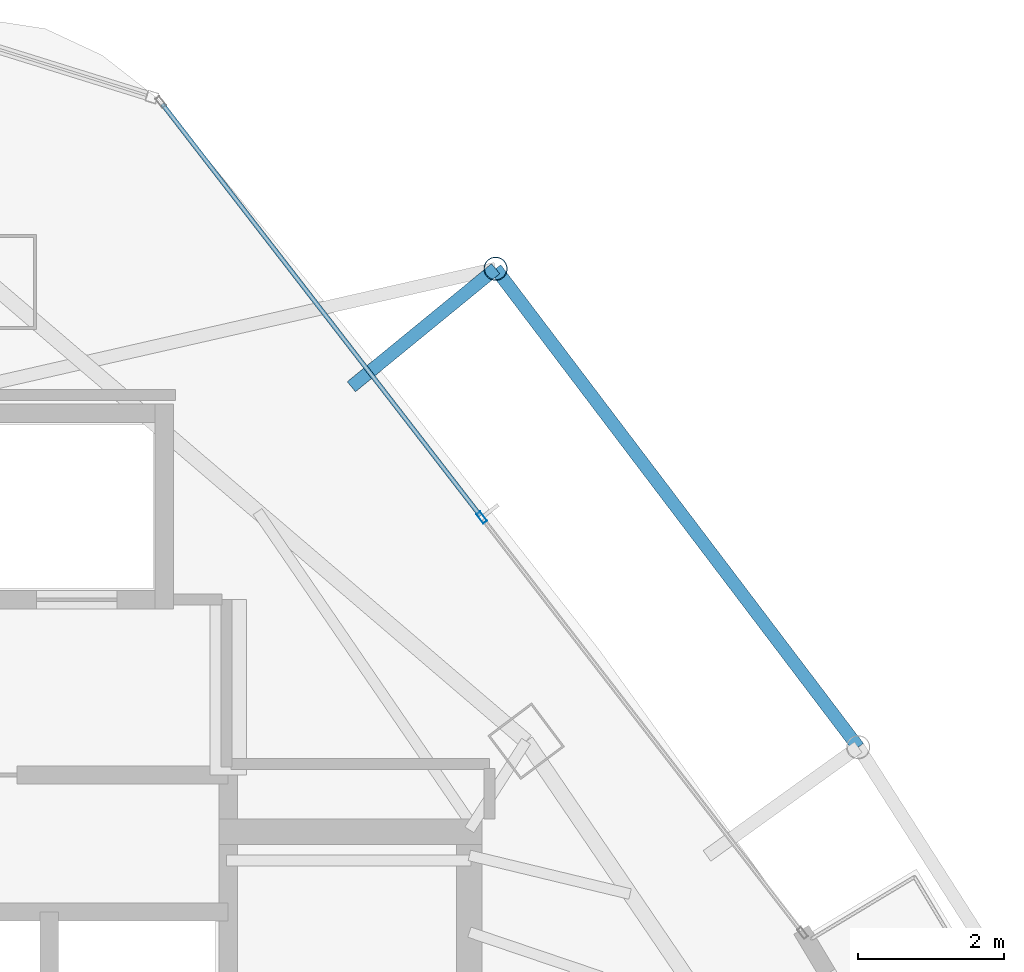
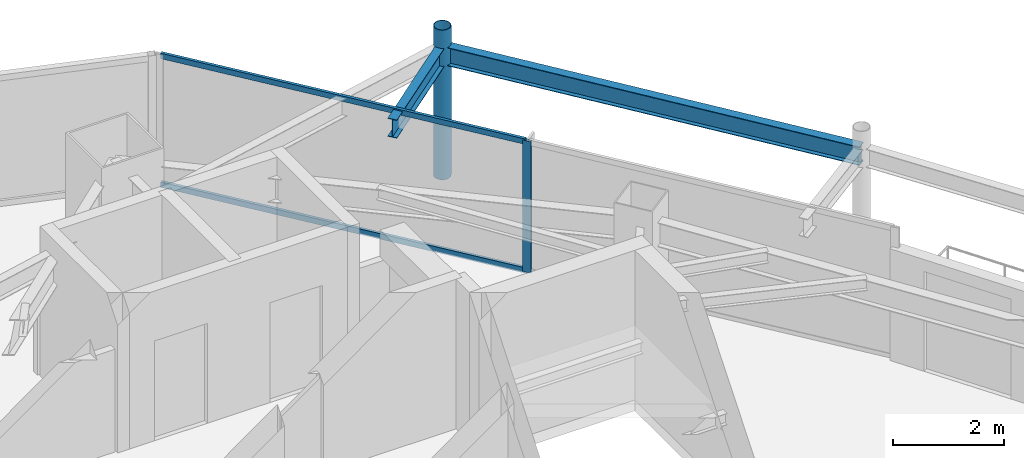
# One storey, part 22 of 29: 4 members, 2 beams, 1 element without a shape of its own.
"""IFC4 building model written with IfcOpenShell, lengths in metres."""

import ifcopenshell
import ifcopenshell.guid

model = None  # the IFC model being written
_history = None  # IfcOwnerHistory: only IFC2X3 demands one
_inside = {}  # id of a spatial element -> (the spatial element, [elements in it])
_under = {}  # id of a project, library or spatial element -> (it, [spatial elements below it])
_declared = {}  # id of a project -> (the project, [libraries it declares])
_typed = {}  # id of a type object -> (the type object, [elements of that type])
_made_of = {}  # id of a material, layer set ... -> (it, [elements and type objects made of it])


def new_model(schema):
    """Start an empty IFC model of exactly this schema.

    Asked for "IFC4X3", IfcOpenShell would pick the latest addendum, in which some entities
    have other attributes; the version numbers below select the first issue.
    IFC2X3 requires an IfcOwnerHistory on every rooted entity: one is made here for all.
    """
    global model, _history
    if schema == "IFC4X3":
        model = ifcopenshell.file(schema_version=(4, 3, 0, 0))
    else:
        model = ifcopenshell.file(schema=schema)
    _inside.clear()
    _under.clear()
    _declared.clear()
    _typed.clear()
    _made_of.clear()
    _history = None
    if model.schema == "IFC2X3":
        org = make("IfcOrganization", Name="unknown")
        user = make(
            "IfcPersonAndOrganization",
            ThePerson=make("IfcPerson", FamilyName="unknown"),
            TheOrganization=org,
        )
        app = make(
            "IfcApplication",
            ApplicationDeveloper=org,
            Version="unknown",
            ApplicationFullName="unknown",
            ApplicationIdentifier="unknown",
        )
        _history = make(
            "IfcOwnerHistory",
            OwningUser=user,
            OwningApplication=app,
            ChangeAction="ADDED",
            CreationDate=0,
        )
    return model


def make(cls, **values):
    """One entity of the class cls with the attributes given. An attribute that is None is left unset."""
    return model.create_entity(
        cls, **{name: value for name, value in values.items() if value is not None}
    )


def rooted(cls, **values):
    """An entity with a GlobalId (a new one), such as an element, a storey or a relation."""
    return make(cls, GlobalId=ifcopenshell.guid.new(), OwnerHistory=_history, **values)


def si_unit(unit_type, name, prefix=None):
    """IfcSIUnit, for example si_unit("LENGTHUNIT", "METRE", prefix="MILLI")."""
    return make("IfcSIUnit", UnitType=unit_type, Prefix=prefix, Name=name)


def assignment(units):
    """IfcUnitAssignment: the units of a project."""
    return None if units is None else make("IfcUnitAssignment", Units=units)


def point(xyz):
    """IfcCartesianPoint."""
    return None if xyz is None else make("IfcCartesianPoint", Coordinates=xyz)


def direction(xyz):
    """IfcDirection."""
    return None if xyz is None else make("IfcDirection", DirectionRatios=xyz)


def frame(location, z_axis=None, x_axis=None):
    """IfcAxis2Placement3D, a coordinate frame: its origin and axes. An axis left out is left unset."""
    return make(
        "IfcAxis2Placement3D",
        Location=point(location),
        Axis=direction(z_axis),
        RefDirection=direction(x_axis),
    )


def frame_2d(location, x_axis=None):
    """IfcAxis2Placement2D, a coordinate frame in the plane: its origin and x axis."""
    return make(
        "IfcAxis2Placement2D", Location=point(location), RefDirection=direction(x_axis)
    )


def origin():
    """The frame at (0, 0, 0) with its axes left unset."""
    return frame((0.0, 0.0, 0.0))


def origin_2d():
    """The frame at (0, 0) in the plane with its x axis left unset."""
    return frame_2d((0.0, 0.0))


def place(relative_to, where):
    """IfcLocalPlacement: puts the frame where relative to a parent placement (None: the world)."""
    return make(
        "IfcLocalPlacement", PlacementRelTo=relative_to, RelativePlacement=where
    )


def context(
    kind, dimensions, precision=None, world=None, true_north=None, identifier=None
):
    """IfcGeometricRepresentationContext, for example the 3D "Model" context."""
    return make(
        "IfcGeometricRepresentationContext",
        ContextIdentifier=identifier,
        ContextType=kind,
        CoordinateSpaceDimension=dimensions,
        Precision=precision,
        WorldCoordinateSystem=world,
        TrueNorth=true_north,
    )


def subcontext(parent, identifier, kind, view, scale=None):
    """IfcGeometricRepresentationSubContext, for example "Body" below "Model"."""
    return make(
        "IfcGeometricRepresentationSubContext",
        ContextIdentifier=identifier,
        ContextType=kind,
        ParentContext=parent,
        TargetScale=scale,
        TargetView=view,
    )


def project(units=None, contexts=None):
    """IfcProject with its units and contexts."""
    return rooted(
        "IfcProject",
        Name="project",
        RepresentationContexts=contexts,
        UnitsInContext=assignment(units),
    )


def spatial(cls, under=None, at=None, **own):
    """A site, building, storey or space (cls), placed at a placement, below another one or the project."""
    s = rooted(cls, ObjectPlacement=at, **own)
    if under is not None:
        _under.setdefault(under.id(), (under, []))[1].append(s)
    return s


def profile(cls, at=None, kind="AREA", **sizes):
    """A parametric profile (cls). Its sizes go by their IFC names, for example OverallWidth=200.0."""
    return make(cls, ProfileType=kind, Position=at, **sizes)


def hollow_rectangle(**sizes):
    """IfcRectangleHollowProfileDef."""
    return profile("IfcRectangleHollowProfileDef", **sizes)


def hollow_circle(**sizes):
    """IfcCircleHollowProfileDef."""
    return profile("IfcCircleHollowProfileDef", **sizes)


def i_section(**sizes):
    """IfcIShapeProfileDef."""
    return profile("IfcIShapeProfileDef", **sizes)


def extrude(swept, where, along, depth):
    """IfcExtrudedAreaSolid: the profile swept, set in the frame where, extruded along a direction by depth."""
    return make(
        "IfcExtrudedAreaSolid",
        SweptArea=swept,
        Position=where,
        ExtrudedDirection=direction(along),
        Depth=depth,
    )


def shape(context_of_items, identifier, shape_type, items):
    """IfcShapeRepresentation: the items that make up one representation, for example the "Body"."""
    return make(
        "IfcShapeRepresentation",
        ContextOfItems=context_of_items,
        RepresentationIdentifier=identifier,
        RepresentationType=shape_type,
        Items=items,
    )


def material(Name=None, Category=None):
    """IfcMaterial."""
    return make("IfcMaterial", Name=Name, Category=Category)


def layer(
    of_material, thickness, ventilated=None, Name=None, Category=None, Priority=None
):
    """IfcMaterialLayer: one layer of a wall or slab, of a material (None: an air gap)."""
    return make(
        "IfcMaterialLayer",
        Material=of_material,
        LayerThickness=thickness,
        IsVentilated=ventilated,
        Name=Name,
        Category=Category,
        Priority=Priority,
    )


def layer_set(layers, Name=None):
    """IfcMaterialLayerSet."""
    return make("IfcMaterialLayerSet", MaterialLayers=layers, LayerSetName=Name)


def material_profile(
    of_material, cross_section, Name=None, Category=None, Priority=None
):
    """IfcMaterialProfile: a cross section and its material."""
    return make(
        "IfcMaterialProfile",
        Name=Name,
        Material=of_material,
        Profile=cross_section,
        Priority=Priority,
        Category=Category,
    )


def profile_set(profiles, Name=None, composite=None):
    """IfcMaterialProfileSet."""
    return make(
        "IfcMaterialProfileSet",
        Name=Name,
        MaterialProfiles=profiles,
        CompositeProfile=composite,
    )


def made_of(thing, what):
    """Note that an element or type object is made of a material, layer set ...; save() writes the relation."""
    if what is not None:
        _made_of.setdefault(what.id(), (what, []))[1].append(thing)
    return thing


def type_object(cls, material=None, **own):
    """A type object (cls), such as IfcWallType, which elements share."""
    return made_of(rooted(cls, **own), material)


def element(
    cls,
    number,
    at=None,
    inside=None,
    cuts=None,
    type_object=None,
    material=None,
    context=None,
    identifier="Body",
    shape_type=None,
    held_by="IfcProductDefinitionShape",
    body=None,
    shapes=None,
    **own,
):
    """One element of the class cls, such as IfcWall. Its Tag is "e" and its number.

    at: its placement. inside: the storey or other place that contains it. cuts: it is an
    opening in that element (IfcRelVoidsElement). A single representation is given by context,
    identifier, shape_type and body (its items); several are given by shapes. held_by: the class
    of the entity that holds the representations. save() writes the other relations.
    """
    e = rooted(cls, Tag="e%d" % number, ObjectPlacement=at, **own)
    if body is not None:
        shapes = [shape(context, identifier, shape_type, body)]
    if shapes is not None:
        e.Representation = make(held_by, Representations=shapes)
    if inside is not None:
        _inside.setdefault(inside.id(), (inside, []))[1].append(e)
    if cuts is not None:
        rooted(
            "IfcRelVoidsElement", RelatingBuildingElement=cuts, RelatedOpeningElement=e
        )
    if type_object is not None:
        _typed.setdefault(type_object.id(), (type_object, []))[1].append(e)
    return made_of(e, material)


def aggregate(whole, parts):
    """IfcRelAggregates: a whole, such as a stair, and the parts it consists of."""
    return rooted("IfcRelAggregates", RelatingObject=whole, RelatedObjects=parts)


def save(model, path):
    """Write the relations noted so far, then the file.

    IfcRelAggregates (storeys below a building ...), IfcRelContainedInSpatialStructure (elements
    in a storey), IfcRelDefinesByType, IfcRelAssociatesMaterial and IfcRelDeclares: one each for
    every whole, place, type object, material and project.
    """
    for whole, parts in _under.values():
        aggregate(whole, parts)
    for where, things in _inside.values():
        rooted(
            "IfcRelContainedInSpatialStructure",
            RelatedElements=things,
            RelatingStructure=where,
        )
    for kind, things in _typed.values():
        rooted("IfcRelDefinesByType", RelatedObjects=things, RelatingType=kind)
    for what, things in _made_of.values():
        rooted("IfcRelAssociatesMaterial", RelatedObjects=things, RelatingMaterial=what)
    for by, libraries in _declared.values():
        rooted("IfcRelDeclares", RelatingContext=by, RelatedDefinitions=libraries)
    model.write(path)


model = new_model("IFC4")

# Units and contexts
model_context = context("Model", 3, precision=1e-05, world=origin(), true_north=direction((0.0, 1.0)))
body_context = subcontext(model_context, "Body", "Model", "MODEL_VIEW")
ifc_project = project(units=[si_unit("LENGTHUNIT", "METRE"), si_unit("AREAUNIT", "SQUARE_METRE"), si_unit("VOLUMEUNIT", "CUBIC_METRE"), si_unit("PLANEANGLEUNIT", "RADIAN"), si_unit("MASSUNIT", "GRAM", prefix="KILO")], contexts=[model_context])

# Site, building, storey
site_placement = place(None, origin())
site = spatial("IfcSite", under=ifc_project, at=site_placement, CompositionType="ELEMENT")
building_placement = place(site_placement, origin())
building = spatial("IfcBuilding", under=site, at=building_placement, Name="Orvanel Arch Residences", CompositionType="ELEMENT")
storey_placement = place(building_placement, frame((0.0, 0.0, 253.550048828125)))
storey = spatial("IfcBuildingStorey", under=building, at=storey_placement, Name="L72", CompositionType="ELEMENT", Elevation=253.550048828125)

# Curtain wall, member
ifc_material_1 = material(Name="Bronze-anodised aluminium AA6063-T6", Category="aluminium")
ifc_layer = layer(ifc_material_1, 0.175048828125)
ifc_layer_set = layer_set([ifc_layer], Name="Bronze-anodised aluminium AA6063-T6")
curtain_wall_type = type_object("IfcCurtainWallType", Name="CW4-HI-SYS", PredefinedType="NOTDEFINED", material=ifc_layer_set)
curtain_wall_placement = place(storey_placement, origin())
curtain_wall = element("IfcCurtainWall", 1, at=curtain_wall_placement, inside=storey, type_object=curtain_wall_type, Name="L72 CW4-HI-SYS Unitised Curtain Wall", PredefinedType="NOTDEFINED")
ifc_material_profile_1 = material_profile(ifc_material_1, hollow_rectangle(XDim=0.06494140625, YDim=0.159912109375, WallThickness=0.00390625, at=origin_2d()), Name="ALU160x65x4")
ifc_profile_set_1 = profile_set([ifc_material_profile_1], Name="Bronze-anodised aluminium AA6063-T6")
member_type_1 = type_object("IfcMemberType", Name="MUL-160x65", PredefinedType="MULLION", material=ifc_profile_set_1)
member_1_placement = place(storey_placement, frame((39.744384765625, 38.174072265625, 0.0), z_axis=(0.0, 0.0, 1.0), x_axis=(-0.791336812136, -0.611380446006, 0.0)))
member_1 = element("IfcMember", 2, at=member_1_placement, type_object=member_type_1, Name="CW-S4 mullion 2", PredefinedType="MULLION", context=body_context, shape_type="SweptSolid", body=[
    extrude(hollow_rectangle(XDim=0.06494140625, YDim=0.159912109375, WallThickness=0.00390625, at=origin_2d()), origin(), (0.0, 0.0, 1.0), 2.89990234375),
])

# Beams
ifc_material_2 = material(Name="Structural steel AS/NZS 3679.1 Grade 300 (300 MPa)", Category="steel")
ifc_material_profile_2 = material_profile(ifc_material_2, i_section(OverallWidth=0.177978515625, OverallDepth=0.406005859375, WebThickness=0.0078125, FlangeThickness=0.0126953125, at=origin_2d()), Name="410UB59.7")
ifc_profile_set_2 = profile_set([ifc_material_profile_2], Name="Structural steel AS/NZS 3679.1 Grade 300 (300 MPa)")
beam_type = type_object("IfcBeamType", Name="OB-410UB-EXT", PredefinedType="SPANDREL", material=ifc_profile_set_2)
beam_1_placement = place(storey_placement, frame((44.89697265625, 35.031005859375, 2.697021484375), z_axis=(-0.604028729674, 0.796962542237, 0.0), x_axis=(-0.796962542237, -0.604028729674, 0.0)))
element("IfcBeam", 3, at=beam_1_placement, inside=storey, type_object=beam_type, Name="L72 Outer Perimeter Floor Ring Beam 11", PredefinedType="SPANDREL", context=body_context, shape_type="SweptSolid", body=[
    extrude(i_section(OverallWidth=0.177978515625, OverallDepth=0.406005859375, WebThickness=0.0078125, FlangeThickness=0.0126953125, at=origin_2d()), origin(), (0.0, 0.0, 1.0), 8.21630859375),
])
beam_2_placement = place(storey_placement, frame((37.9599609375, 39.964111328125, 2.697021484375), z_axis=(0.77399568074, 0.633190876589, 0.0), x_axis=(-0.633190876589, 0.77399568074, 0.0)))
element("IfcBeam", 4, at=beam_2_placement, inside=storey, type_object=beam_type, Name="L72 Outer Frame Radial Tie Beam 12", PredefinedType="SPANDREL", context=body_context, shape_type="SweptSolid", body=[
    extrude(i_section(OverallWidth=0.177978515625, OverallDepth=0.406005859375, WebThickness=0.0078125, FlangeThickness=0.0126953125, at=origin_2d()), origin(), (0.0, 0.0, 1.0), 2.550537109375),
])

# Member
ifc_material_3 = material(Name="Structural steel AS/NZS 1163 C350L0 (Grade 350)", Category="steel")
ifc_material_profile_3 = material_profile(ifc_material_3, hollow_circle(Radius=0.162109375, WallThickness=0.0126953125, at=origin_2d()), Name="CHS324x12.7")
ifc_profile_set_3 = profile_set([ifc_material_profile_3], Name="Structural steel AS/NZS 1163 C350L0 (Grade 350)")
member_type_2 = type_object("IfcMemberType", Name="ST-324CHS-EXT", PredefinedType="STRUT", material=ifc_profile_set_3)
member_2_placement = place(storey_placement, frame((39.93408203125, 41.5791015625, 0.0), z_axis=(0.0, 0.0, 1.0), x_axis=(1.0, 0.0, 0.0)))
element("IfcMember", 5, at=member_2_placement, inside=storey, type_object=member_type_2, Name="L72 Outer Perimeter Frame Post 12", PredefinedType="STRUT", context=body_context, shape_type="SweptSolid", body=[
    extrude(hollow_circle(Radius=0.162109375, WallThickness=0.0126953125, at=origin_2d()), origin(), (0.0, 0.0, 1.0), 3.300048828125),
])

ifc_material_profile_4 = material_profile(ifc_material_1, hollow_rectangle(XDim=0.06005859375, YDim=0.1201171875, WallThickness=0.00341796875, at=origin_2d()), Name="ALU120x60x3.5")
ifc_profile_set_4 = profile_set([ifc_material_profile_4], Name="Bronze-anodised aluminium AA6063-T6")
member_type_3 = type_object("IfcMemberType", Name="TRN-120x60", PredefinedType="USERDEFINED", material=ifc_profile_set_4)
member_3_placement = place(storey_placement, frame((39.724609375, 38.19970703125, 0.030029296875), z_axis=(-0.611375262604, 0.791340816763, 0.0), x_axis=(-0.791340816763, -0.611375262604, 0.0)))
member_3 = element("IfcMember", 6, at=member_3_placement, type_object=member_type_3, Name="CW-S4 transom 2.1", ObjectType="TRANSOM", PredefinedType="USERDEFINED", context=body_context, shape_type="SweptSolid", body=[
    extrude(hollow_rectangle(XDim=0.06005859375, YDim=0.1201171875, WallThickness=0.00341796875, at=origin_2d()), origin(), (0.0, 0.0, 1.0), 7.1181640625),
])

member_4_placement = place(storey_placement, frame((39.724609375, 38.19970703125, 2.869873046875), z_axis=(-0.611375262604, 0.791340816763, 0.0), x_axis=(-0.791340816763, -0.611375262604, 0.0)))
member_4 = element("IfcMember", 7, at=member_4_placement, type_object=member_type_3, Name="CW-S4 transom 2.2", ObjectType="TRANSOM", PredefinedType="USERDEFINED", context=body_context, shape_type="SweptSolid", body=[
    extrude(hollow_rectangle(XDim=0.06005859375, YDim=0.1201171875, WallThickness=0.00341796875, at=origin_2d()), origin(), (0.0, 0.0, 1.0), 7.1181640625),
])

aggregate(curtain_wall, [member_1, member_3, member_4])

save(model, "model.ifc")
